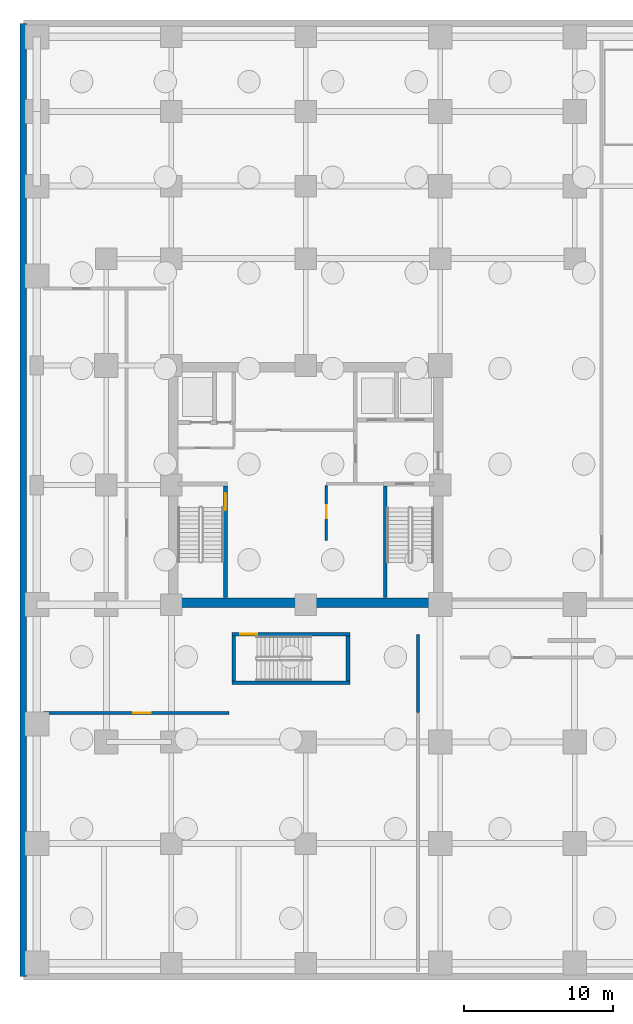
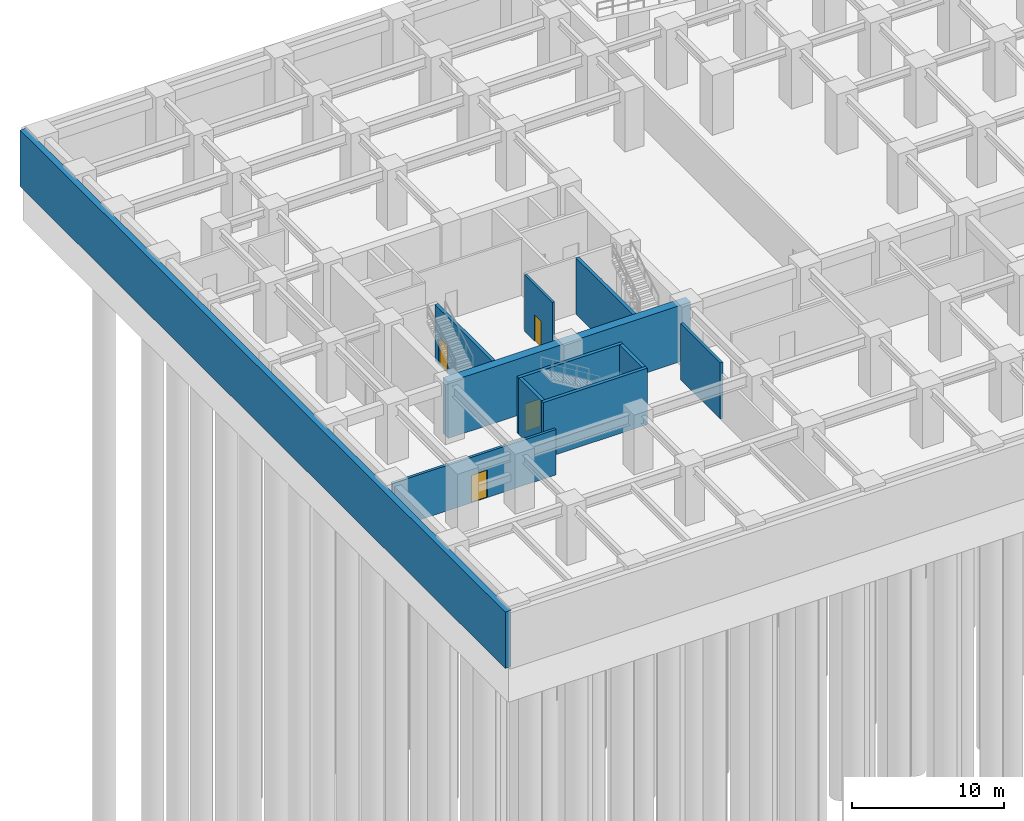
# One storey, part 5 of 11: 11 walls, 4 doors, 4 openings.
"""IFC4 building model written with IfcOpenShell, lengths in metres."""

from ifc_helpers import new_model, si_unit, direction, frame, frame_2d, origin, place, context, subcontext, project, spatial, rectangle, extrude, source, transform, mapped, material, layer, layer_set, type_object, element, fill, save


model = new_model("IFC4")

# Units and contexts
model_context = context("Model", 3, precision=1e-05, world=origin(), true_north=direction((0.0, 1.0)))
body_context = subcontext(model_context, "Body", "Model", "MODEL_VIEW")
ifc_project = project(units=[si_unit("LENGTHUNIT", "METRE"), si_unit("AREAUNIT", "SQUARE_METRE"), si_unit("VOLUMEUNIT", "CUBIC_METRE"), si_unit("PLANEANGLEUNIT", "RADIAN"), si_unit("MASSUNIT", "GRAM", prefix="KILO")], contexts=[model_context])

# Site, building, storey
site_placement = place(None, origin())
site = spatial("IfcSite", under=ifc_project, at=site_placement, CompositionType="ELEMENT")
building_placement = place(site_placement, origin())
building = spatial("IfcBuilding", under=site, at=building_placement, Name="Torre Montelarca", CompositionType="ELEMENT")
storey_placement = place(building_placement, frame((0.0, 0.0, -9.60009765625)))
storey = spatial("IfcBuildingStorey", under=building, at=storey_placement, Name="B2", CompositionType="ELEMENT", Elevation=-9.60009765625)

# Wall, opening, door
ifc_material_1 = material(Name="Concrete C40/50", Category="concrete")
ifc_layer_1 = layer(ifc_material_1, 0.25, Name="Concrete C40/50", Category="concrete")
ifc_layer_set_1 = layer_set([ifc_layer_1], Name="Concrete C40/50")
wall_type_1 = type_object("IfcWallType", Name="CW-SHAFT-250", PredefinedType="SHEAR", material=ifc_layer_set_1)
wall_1_placement = place(storey_placement, frame((12.625, 24.4599609375, 0.0), z_axis=(0.0, 0.0, 1.0), x_axis=(0.0, 1.0, 0.0)))
wall_1 = element("IfcWall", 1, at=wall_1_placement, inside=storey, type_object=wall_type_1, Name="B2 Core Shear Wall SH-ST1-E", PredefinedType="SHEAR", context=body_context, shape_type="SweptSolid", body=[
    extrude(rectangle(XDim=7.489990234375, YDim=0.25, at=frame_2d((3.7451171875, 0.0))), origin(), (0.0, 0.0, 1.0), 4.52001953125),
])
opening_1_placement = place(wall_1_placement, frame((5.85009765625, 0.0, 0.0)))
opening_1 = element("IfcOpeningElement", 2, at=opening_1_placement, cuts=wall_1, Name="Opening FD-ST1", PredefinedType="OPENING", context=body_context, shape_type="SweptSolid", body=[
    extrude(rectangle(XDim=1.14990234375, YDim=2.199951171875, at=frame_2d((0.574951171875, 1.10009765625))), frame((0.0, 0.135009765625, 0.0), z_axis=(0.0, -1.0, 0.0), x_axis=(1.0, 0.0, 0.0)), (0.0, 0.0, 1.0), 0.27001953125),
])
ifc_material_2 = material(Name="Galvanized steel fire door", Category="steel")
door_type_1 = type_object("IfcDoorType", Name="DR-STAIR-115", OperationType="NOTDEFINED", PredefinedType="DOOR", material=ifc_material_2)
shared_shape_1 = source(origin(), body_context, "Body", "SweptSolid", [
    extrude(rectangle(XDim=1.14990234375, YDim=2.199951171875, at=frame_2d((0.574951171875, 1.10009765625))), frame((0.0, 0.02490234375, 0.0), z_axis=(0.0, -1.0, 0.0), x_axis=(1.0, 0.0, 0.0)), (0.0, 0.0, 1.0), 0.050048828125),
])
door_1_placement = place(opening_1_placement, origin())
door_1 = element("IfcDoor", 3, at=door_1_placement, inside=storey, type_object=door_type_1, Name="B2 Exit Stair ST1 Fire Door", OperationType="SINGLE_SWING_RIGHT", OverallHeight=2.199951171875, OverallWidth=1.14990234375, PredefinedType="DOOR", context=body_context, shape_type="MappedRepresentation", body=[
    mapped(shared_shape_1, transform((0.0, 0.0, 0.0), scale=1.0)),
])
fill(opening_1, door_1)

# Walls
wall_2_placement = place(storey_placement, frame((23.31494140625, 24.4599609375, 0.0), z_axis=(0.0, 0.0, 1.0), x_axis=(0.0, 1.0, 0.0)))
element("IfcWall", 4, at=wall_2_placement, inside=storey, type_object=wall_type_1, Name="B2 Core Shear Wall SH-ST2-W", PredefinedType="SHEAR", context=body_context, shape_type="SweptSolid", body=[
    extrude(rectangle(XDim=7.489990234375, YDim=0.25, at=frame_2d((3.7451171875, 0.0))), origin(), (0.0, 0.0, 1.0), 4.52001953125),
])
for number, where, z_axis, x_axis, name in (
    (5, (13.175048828125, 18.89990234375, 0.0), (0.0, 0.0, 1.0), (0.0, 1.0, 0.0), "B2 Core Shear Wall SH-ST3-W"),
    (6, (20.824951171875, 18.89990234375, 0.0), (0.0, 0.0, 1.0), (0.0, 1.0, 0.0), "B2 Core Shear Wall SH-ST3-E"),
):
    element("IfcWall", number, at=place(storey_placement, frame(where, z_axis=z_axis, x_axis=x_axis)), inside=storey, type_object=wall_type_1, Name=name, PredefinedType="SHEAR", context=body_context, shape_type="SweptSolid", body=[
        extrude(rectangle(XDim=2.989990234375, YDim=0.25, at=frame_2d((1.4951171875, 0.0))), origin(), (0.0, 0.0, 1.0), 4.52001953125),
    ])
wall_3_placement = place(storey_placement, frame((13.050048828125, 18.77490234375, 0.0), z_axis=(0.0, 0.0, 1.0), x_axis=(1.0, 0.0, 0.0)))
element("IfcWall", 7, at=wall_3_placement, inside=storey, type_object=wall_type_1, Name="B2 Core Shear Wall SH-ST3-S", PredefinedType="SHEAR", context=body_context, shape_type="SweptSolid", body=[
    extrude(rectangle(XDim=7.89990234375, YDim=0.25, at=frame_2d((3.949951171875, 0.0))), origin(), (0.0, 0.0, 1.0), 4.52001953125),
])

# Wall, opening, door
wall_4_placement = place(storey_placement, frame((13.050048828125, 22.014892578125, 0.0), z_axis=(0.0, 0.0, 1.0), x_axis=(1.0, 0.0, 0.0)))
wall_4 = element("IfcWall", 8, at=wall_4_placement, inside=storey, type_object=wall_type_1, Name="B2 Core Shear Wall SH-ST3-N", PredefinedType="SHEAR", context=body_context, shape_type="SweptSolid", body=[
    extrude(rectangle(XDim=7.89990234375, YDim=0.25, at=frame_2d((3.949951171875, 0.0))), origin(), (0.0, 0.0, 1.0), 4.52001953125),
])
opening_2_placement = place(wall_4_placement, frame((0.550048828125, 0.0, 0.0)))
opening_2 = element("IfcOpeningElement", 9, at=opening_2_placement, cuts=wall_4, Name="Opening FD-ST1", PredefinedType="OPENING", context=body_context, shape_type="SweptSolid", body=[
    extrude(rectangle(XDim=1.14990234375, YDim=2.199951171875, at=frame_2d((0.574951171875, 1.10009765625))), frame((0.0, 0.135009765625, 0.0), z_axis=(0.0, -1.0, 0.0), x_axis=(1.0, 0.0, 0.0)), (0.0, 0.0, 1.0), 0.27001953125),
])
door_2_placement = place(opening_2_placement, origin())
door_2 = element("IfcDoor", 10, at=door_2_placement, inside=storey, type_object=door_type_1, Name="B2 Exit Stair ST3 Fire Door", OperationType="SINGLE_SWING_LEFT", OverallHeight=2.199951171875, OverallWidth=1.14990234375, PredefinedType="DOOR", context=body_context, shape_type="MappedRepresentation", body=[
    mapped(shared_shape_1, transform((0.0, 0.0, 0.0), scale=1.0)),
])
fill(opening_2, door_2)

# Walls
ifc_material_3 = material(Name="Concrete C70/85", Category="concrete")
ifc_layer_2 = layer(ifc_material_3, 0.64990234375, Name="Concrete C70/85", Category="concrete")
ifc_layer_set_2 = layer_set([ifc_layer_2], Name="Concrete C70/85")
wall_type_2 = type_object("IfcWallType", Name="CW-SHEAR-650", PredefinedType="SHEAR", material=ifc_layer_set_2)
wall_5_placement = place(storey_placement, frame((8.800048828125, 24.125, 0.0), z_axis=(0.0, 0.0, 1.0), x_axis=(1.0, 0.0, 0.0)))
element("IfcWall", 11, at=wall_5_placement, inside=storey, type_object=wall_type_2, Name="B2 Core Shear Wall CW-S1", PredefinedType="SHEAR", context=body_context, shape_type="SweptSolid", body=[
    extrude(rectangle(XDim=18.39990234375, YDim=0.64990234375, at=frame_2d((9.199951171875, 0.0))), origin(), (0.0, 0.0, 1.0), 4.52001953125),
])
ifc_layer_3 = layer(ifc_material_1, 0.449951171875, Name="Concrete C40/50", Category="concrete")
ifc_layer_set_3 = layer_set([ifc_layer_3], Name="Concrete C40/50")
wall_type_3 = type_object("IfcWallType", Name="EW-RET-450", PredefinedType="USERDEFINED", material=ifc_layer_set_3)
wall_6_placement = place(storey_placement, frame((-0.89990234375, 62.89990234375, 0.0), z_axis=(0.0, 0.0, 1.0), x_axis=(0.0, -1.0, 0.0)))
element("IfcWall", 12, at=wall_6_placement, inside=storey, type_object=wall_type_3, Name="B2 Perimeter Basement Retaining Wall 04", ObjectType="RETAINING WALL", PredefinedType="USERDEFINED", context=body_context, shape_type="SweptSolid", body=[
    extrude(rectangle(XDim=63.7998046875, YDim=0.449951171875, at=frame_2d((31.89990234375, 0.0))), origin(), (0.0, 0.0, 1.0), 4.52001953125),
])

# Wall, opening, door
ifc_material_4 = material(Name="Gypsum plasterboard on steel stud", Category="steel")
ifc_layer_4 = layer(ifc_material_4, 0.159912109375, Name="Gypsum plasterboard on steel stud", Category="steel")
ifc_layer_set_4 = layer_set([ifc_layer_4], Name="Gypsum plasterboard on steel stud")
wall_type_4 = type_object("IfcWallType", Name="PW-FIRE-160", PredefinedType="PARTITIONING", material=ifc_layer_set_4)
wall_7_placement = place(storey_placement, frame((19.3798828125, 28.2900390625, 0.0), z_axis=(0.0, 0.0, 1.0), x_axis=(0.0, 1.0, 0.0)))
wall_7 = element("IfcWall", 13, at=wall_7_placement, inside=storey, type_object=wall_type_4, Name="B2 Interior Partition CW-B2-SEW", PredefinedType="PARTITIONING", context=body_context, shape_type="SweptSolid", body=[
    extrude(rectangle(XDim=3.669921875, YDim=0.159912109375, at=frame_2d((1.8349609375, 0.0))), origin(), (0.0, 0.0, 1.0), 4.52001953125),
])
opening_3_placement = place(wall_7_placement, frame((1.5, 0.0, 0.0)))
opening_3 = element("IfcOpeningElement", 14, at=opening_3_placement, cuts=wall_7, Name="Opening FD-085", PredefinedType="OPENING", context=body_context, shape_type="SweptSolid", body=[
    extrude(rectangle(XDim=0.85009765625, YDim=2.10009765625, at=frame_2d((0.425048828125, 1.050048828125))), frame((0.0, 0.08984375, 0.0), z_axis=(0.0, -1.0, 0.0), x_axis=(1.0, 0.0, 0.0)), (0.0, 0.0, 1.0), 0.179931640625),
])
ifc_material_5 = material(Name="Steel riser access fire door", Category="steel")
door_type_2 = type_object("IfcDoorType", Name="DR-RISER-085", OperationType="NOTDEFINED", PredefinedType="DOOR", material=ifc_material_5)
shared_shape_2 = source(origin(), body_context, "Body", "SweptSolid", [
    extrude(rectangle(XDim=0.85009765625, YDim=2.10009765625, at=frame_2d((0.425048828125, 1.050048828125))), frame((0.0, 0.02490234375, 0.0), z_axis=(0.0, -1.0, 0.0), x_axis=(1.0, 0.0, 0.0)), (0.0, 0.0, 1.0), 0.050048828125),
])
door_3_placement = place(opening_3_placement, origin())
door_3 = element("IfcDoor", 15, at=door_3_placement, inside=storey, type_object=door_type_2, Name="B2 Interior Door 03", OperationType="SINGLE_SWING_RIGHT", OverallHeight=2.10009765625, OverallWidth=0.85009765625, PredefinedType="DOOR", context=body_context, shape_type="MappedRepresentation", body=[
    mapped(shared_shape_2, transform((0.0, 0.0, 0.0), scale=1.0)),
])
fill(opening_3, door_3)

ifc_material_6 = material(Name="Gypsum fireboard and rockwool on steel stud", Category="steel")
ifc_layer_5 = layer(ifc_material_6, 0.199951171875, Name="Gypsum fireboard and rockwool on steel stud", Category="steel")
ifc_layer_set_5 = layer_set([ifc_layer_5], Name="Gypsum fireboard and rockwool on steel stud")
wall_type_5 = type_object("IfcWallType", Name="PW-FIRE-200", PredefinedType="SOLIDWALL", material=ifc_layer_set_5)
wall_8_placement = place(storey_placement, frame((0.43994140625, 16.75, 0.0), z_axis=(0.0, 0.0, 1.0), x_axis=(1.0, 0.0, 0.0)))
wall_8 = element("IfcWall", 16, at=wall_8_placement, inside=storey, type_object=wall_type_5, Name="B2 Interior Partition W-B2-P3", PredefinedType="SOLIDWALL", context=body_context, shape_type="SweptSolid", body=[
    extrude(rectangle(XDim=12.420166015625, YDim=0.199951171875, at=frame_2d((6.2099609375, 0.0))), origin(), (0.0, 0.0, 1.0), 3.649658203125),
])
opening_4_placement = place(wall_8_placement, frame((6.0, 0.0, 0.0)))
opening_4 = element("IfcOpeningElement", 17, at=opening_4_placement, cuts=wall_8, Name="Opening FD-120", PredefinedType="OPENING", context=body_context, shape_type="SweptSolid", body=[
    extrude(rectangle(XDim=1.199951171875, YDim=2.199951171875, at=frame_2d((0.60009765625, 1.10009765625))), frame((0.0, 0.10986328125, 0.0), z_axis=(0.0, -1.0, 0.0), x_axis=(1.0, 0.0, 0.0)), (0.0, 0.0, 1.0), 0.219970703125),
])
door_type_3 = type_object("IfcDoorType", Name="DR-FIRE-120", OperationType="NOTDEFINED", PredefinedType="DOOR", material=ifc_material_2)
shared_shape_3 = source(origin(), body_context, "Body", "SweptSolid", [
    extrude(rectangle(XDim=1.199951171875, YDim=2.199951171875, at=frame_2d((0.60009765625, 1.10009765625))), frame((0.0, 0.02490234375, 0.0), z_axis=(0.0, -1.0, 0.0), x_axis=(1.0, 0.0, 0.0)), (0.0, 0.0, 1.0), 0.050048828125),
])
door_4_placement = place(opening_4_placement, origin())
door_4 = element("IfcDoor", 18, at=door_4_placement, inside=storey, type_object=door_type_3, Name="B2 Interior Door 06", OperationType="SINGLE_SWING_RIGHT", OverallHeight=2.199951171875, OverallWidth=1.199951171875, PredefinedType="DOOR", context=body_context, shape_type="MappedRepresentation", body=[
    mapped(shared_shape_3, transform((0.0, 0.0, 0.0), scale=1.0)),
])
fill(opening_4, door_4)

# Wall
wall_9_placement = place(storey_placement, frame((25.5, 16.7900390625, 0.0), z_axis=(0.0, 0.0, 1.0), x_axis=(0.0, 1.0, 0.0)))
element("IfcWall", 19, at=wall_9_placement, inside=storey, type_object=wall_type_5, Name="B2 Interior Partition W-B2-P4W", PredefinedType="SOLIDWALL", context=body_context, shape_type="SweptSolid", body=[
    extrude(rectangle(XDim=5.219970703125, YDim=0.199951171875, at=frame_2d((2.60986328125, 0.0))), origin(), (0.0, 0.0, 1.0), 4.52001953125),
])

save(model, "model.ifc")
